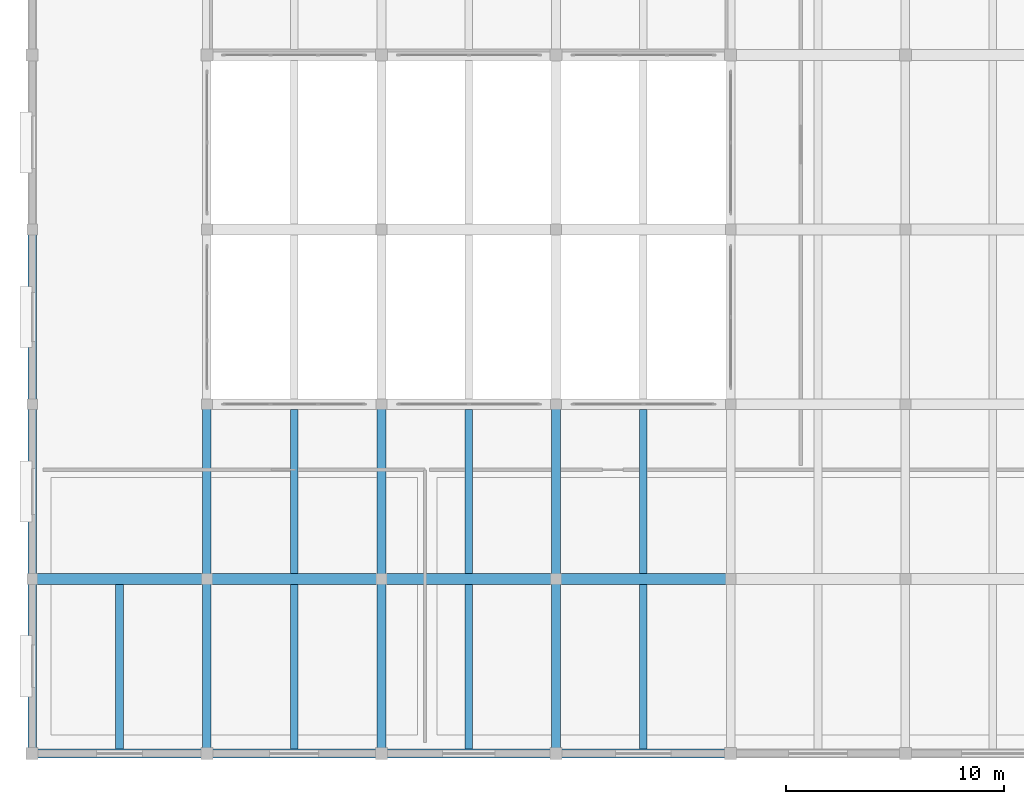
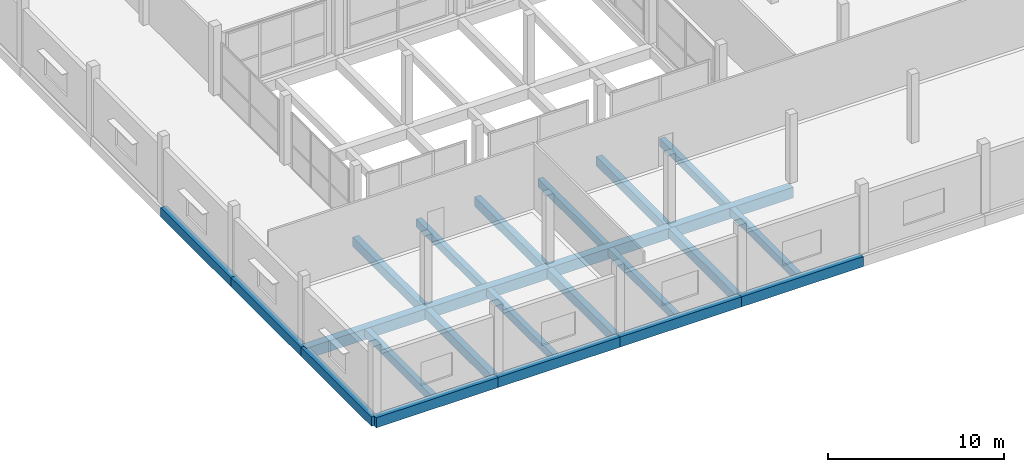
# One storey, part 3 of 47: 24 beams.
"""IFC4 building model written with IfcOpenShell, lengths in metres."""

from ifc_helpers import new_model, si_unit, direction, frame, origin, origin_2d, place, context, subcontext, project, spatial, rectangle, extrude, material, material_profile, profile_set, type_object, element, save


model = new_model("IFC4")

# Units and contexts
model_context = context("Model", 3, precision=1e-05, world=origin(), true_north=direction((0.0, 1.0)))
body_context = subcontext(model_context, "Body", "Model", "MODEL_VIEW")
ifc_project = project(units=[si_unit("LENGTHUNIT", "METRE"), si_unit("AREAUNIT", "SQUARE_METRE"), si_unit("VOLUMEUNIT", "CUBIC_METRE"), si_unit("PLANEANGLEUNIT", "RADIAN"), si_unit("MASSUNIT", "GRAM", prefix="KILO")], contexts=[model_context])

# Site, building, storey
site_placement = place(None, origin())
site = spatial("IfcSite", under=ifc_project, at=site_placement, CompositionType="ELEMENT")
building_placement = place(site_placement, origin())
building = spatial("IfcBuilding", under=site, at=building_placement, Name="Vharandega Faculty of Natural Sciences", CompositionType="ELEMENT")
storey_placement = place(building_placement, frame((0.0, 0.0, 5.39990234375)))
storey = spatial("IfcBuildingStorey", under=building, at=storey_placement, Name="L01", CompositionType="ELEMENT", Elevation=5.39990234375)

# Beams
ifc_material_1 = material(Name="Concrete C40/50", Category="concrete")
ifc_material_profile_1 = material_profile(ifc_material_1, rectangle(XDim=0.39990234375, YDim=0.64990234375, at=origin_2d()), Name="RC 400x650")
ifc_profile_set_1 = profile_set([ifc_material_profile_1], Name="Concrete C40/50")
beam_type_1 = type_object("IfcBeamType", Name="Podium Floor Beam 400x650", PredefinedType="BEAM", material=ifc_profile_set_1)
for number, where, z_axis, x_axis, name in (
    (1, (0.0, 0.0, -0.60498046875), (0.0, 1.0, 0.0), (-1.0, 0.0, 0.0), "Beam L01 1/A-B"),
    (2, (0.0, 8.0, -0.60498046875), (0.0, 1.0, 0.0), (-1.0, 0.0, 0.0), "Beam L01 1/B-C"),
    (3, (0.0, 16.0, -0.60498046875), (0.0, 1.0, 0.0), (-1.0, 0.0, 0.0), "Beam L01 1/C-D"),
    (4, (8.0, 0.0, -0.60498046875), (0.0, 1.0, 0.0), (-1.0, 0.0, 0.0), "Beam L01 2/A-B"),
    (5, (8.0, 8.0, -0.60498046875), (0.0, 1.0, 0.0), (-1.0, 0.0, 0.0), "Beam L01 2/B-C"),
    (6, (16.0, 0.0, -0.60498046875), (0.0, 1.0, 0.0), (-1.0, 0.0, 0.0), "Beam L01 3/A-B"),
    (7, (16.0, 8.0, -0.60498046875), (0.0, 1.0, 0.0), (-1.0, 0.0, 0.0), "Beam L01 3/B-C"),
    (8, (24.0, 0.0, -0.60498046875), (0.0, 1.0, 0.0), (-1.0, 0.0, 0.0), "Beam L01 4/A-B"),
    (9, (24.0, 8.0, -0.60498046875), (0.0, 1.0, 0.0), (-1.0, 0.0, 0.0), "Beam L01 4/B-C"),
):
    element("IfcBeam", number, at=place(storey_placement, frame(where, z_axis=z_axis, x_axis=x_axis)), inside=storey, type_object=beam_type_1, Name=name, PredefinedType="BEAM", context=body_context, shape_type="SweptSolid", body=[
        extrude(rectangle(XDim=0.39990234375, YDim=0.64990234375, at=origin_2d()), origin(), (0.0, 0.0, 1.0), 8.0),
    ])
ifc_material_2 = material(Name="Concrete C40/50", Category="concrete")
ifc_material_profile_2 = material_profile(ifc_material_2, rectangle(XDim=0.5, YDim=0.75, at=origin_2d()), Name="RC 500x750")
ifc_profile_set_2 = profile_set([ifc_material_profile_2], Name="Concrete C40/50")
beam_type_2 = type_object("IfcBeamType", Name="Podium Primary Beam 500x750", PredefinedType="BEAM", material=ifc_profile_set_2)
for number, where, z_axis, x_axis, name in (
    (10, (0.0, 8.0, -0.65478515625), (1.0, 0.0, 0.0), (0.0, 1.0, 0.0), "Beam L01 B/1-2"),
    (11, (8.0, 8.0, -0.65478515625), (1.0, 0.0, 0.0), (0.0, 1.0, 0.0), "Beam L01 B/2-3"),
    (12, (16.0, 8.0, -0.65478515625), (1.0, 0.0, 0.0), (0.0, 1.0, 0.0), "Beam L01 B/3-4"),
    (13, (24.0, 8.0, -0.65478515625), (1.0, 0.0, 0.0), (0.0, 1.0, 0.0), "Beam L01 B/4-5"),
):
    element("IfcBeam", number, at=place(storey_placement, frame(where, z_axis=z_axis, x_axis=x_axis)), inside=storey, type_object=beam_type_2, Name=name, PredefinedType="BEAM", context=body_context, shape_type="SweptSolid", body=[
        extrude(rectangle(XDim=0.5, YDim=0.75, at=origin_2d()), origin(), (0.0, 0.0, 1.0), 8.0),
    ])
ifc_material_3 = material(Name="Concrete C40/50", Category="concrete")
ifc_material_profile_3 = material_profile(ifc_material_3, rectangle(XDim=0.35009765625, YDim=0.550048828125, at=origin_2d()), Name="RC 350x550")
ifc_profile_set_3 = profile_set([ifc_material_profile_3], Name="Concrete C40/50")
beam_type_3 = type_object("IfcBeamType", Name="Podium Secondary Beam 350x550", PredefinedType="JOIST", material=ifc_profile_set_3)
for number, where, z_axis, x_axis, name in (
    (14, (4.0, 0.199951171875, -0.554931640625), (0.0, 1.0, 0.0), (-1.0, 0.0, 0.0), "Secondary Joist L01 1-2/A-B"),
    (15, (12.0, 0.199951171875, -0.554931640625), (0.0, 1.0, 0.0), (-1.0, 0.0, 0.0), "Secondary Joist L01 2-3/A-B"),
):
    element("IfcBeam", number, at=place(storey_placement, frame(where, z_axis=z_axis, x_axis=x_axis)), inside=storey, type_object=beam_type_3, Name=name, PredefinedType="JOIST", context=body_context, shape_type="SweptSolid", body=[
        extrude(rectangle(XDim=0.35009765625, YDim=0.550048828125, at=origin_2d()), origin(), (0.0, 0.0, 1.0), 7.550048828125),
    ])
beam_1_placement = place(storey_placement, frame((12.0, 8.25, -0.554931640625), z_axis=(0.0, 1.0, 0.0), x_axis=(-1.0, 0.0, 0.0)))
element("IfcBeam", 16, at=beam_1_placement, inside=storey, type_object=beam_type_3, Name="Secondary Joist L01 2-3/B-C", PredefinedType="JOIST", context=body_context, shape_type="SweptSolid", body=[
    extrude(rectangle(XDim=0.35009765625, YDim=0.550048828125, at=origin_2d()), origin(), (0.0, 0.0, 1.0), 7.5),
])
beam_2_placement = place(storey_placement, frame((20.0, 0.199951171875, -0.554931640625), z_axis=(0.0, 1.0, 0.0), x_axis=(-1.0, 0.0, 0.0)))
element("IfcBeam", 17, at=beam_2_placement, inside=storey, type_object=beam_type_3, Name="Secondary Joist L01 3-4/A-B", PredefinedType="JOIST", context=body_context, shape_type="SweptSolid", body=[
    extrude(rectangle(XDim=0.35009765625, YDim=0.550048828125, at=origin_2d()), origin(), (0.0, 0.0, 1.0), 7.550048828125),
])
beam_3_placement = place(storey_placement, frame((20.0, 8.25, -0.554931640625), z_axis=(0.0, 1.0, 0.0), x_axis=(-1.0, 0.0, 0.0)))
element("IfcBeam", 18, at=beam_3_placement, inside=storey, type_object=beam_type_3, Name="Secondary Joist L01 3-4/B-C", PredefinedType="JOIST", context=body_context, shape_type="SweptSolid", body=[
    extrude(rectangle(XDim=0.35009765625, YDim=0.550048828125, at=origin_2d()), origin(), (0.0, 0.0, 1.0), 7.5),
])
beam_4_placement = place(storey_placement, frame((28.0, 0.199951171875, -0.554931640625), z_axis=(0.0, 1.0, 0.0), x_axis=(-1.0, 0.0, 0.0)))
element("IfcBeam", 19, at=beam_4_placement, inside=storey, type_object=beam_type_3, Name="Secondary Joist L01 4-5/A-B", PredefinedType="JOIST", context=body_context, shape_type="SweptSolid", body=[
    extrude(rectangle(XDim=0.35009765625, YDim=0.550048828125, at=origin_2d()), origin(), (0.0, 0.0, 1.0), 7.550048828125),
])
beam_5_placement = place(storey_placement, frame((28.0, 8.25, -0.554931640625), z_axis=(0.0, 1.0, 0.0), x_axis=(-1.0, 0.0, 0.0)))
element("IfcBeam", 20, at=beam_5_placement, inside=storey, type_object=beam_type_3, Name="Secondary Joist L01 4-5/B-C", PredefinedType="JOIST", context=body_context, shape_type="SweptSolid", body=[
    extrude(rectangle(XDim=0.35009765625, YDim=0.550048828125, at=origin_2d()), origin(), (0.0, 0.0, 1.0), 7.5),
])
ifc_material_4 = material(Name="Concrete C40/50", Category="concrete")
ifc_material_profile_4 = material_profile(ifc_material_4, rectangle(XDim=0.39990234375, YDim=0.699951171875, at=origin_2d()), Name="RC 400x700")
ifc_profile_set_4 = profile_set([ifc_material_profile_4], Name="Concrete C40/50")
beam_type_4 = type_object("IfcBeamType", Name="Podium Spandrel Beam 400x700", PredefinedType="SPANDREL", material=ifc_profile_set_4)
for number, where, z_axis, x_axis, name in (
    (21, (0.0, 0.0, -0.6298828125), (1.0, 0.0, 0.0), (0.0, 1.0, 0.0), "Beam L01 A/1-2"),
    (22, (8.0, 0.0, -0.6298828125), (1.0, 0.0, 0.0), (0.0, 1.0, 0.0), "Beam L01 A/2-3"),
    (23, (16.0, 0.0, -0.6298828125), (1.0, 0.0, 0.0), (0.0, 1.0, 0.0), "Beam L01 A/3-4"),
    (24, (24.0, 0.0, -0.6298828125), (1.0, 0.0, 0.0), (0.0, 1.0, 0.0), "Beam L01 A/4-5"),
):
    element("IfcBeam", number, at=place(storey_placement, frame(where, z_axis=z_axis, x_axis=x_axis)), inside=storey, type_object=beam_type_4, Name=name, PredefinedType="SPANDREL", context=body_context, shape_type="SweptSolid", body=[
        extrude(rectangle(XDim=0.39990234375, YDim=0.699951171875, at=origin_2d()), origin(), (0.0, 0.0, 1.0), 8.0),
    ])

save(model, "model.ifc")
